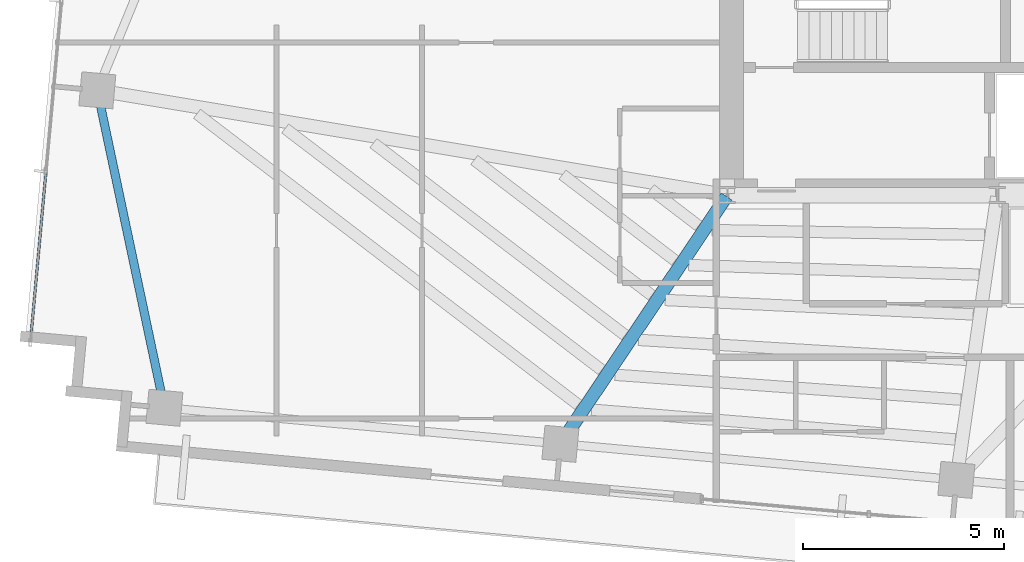
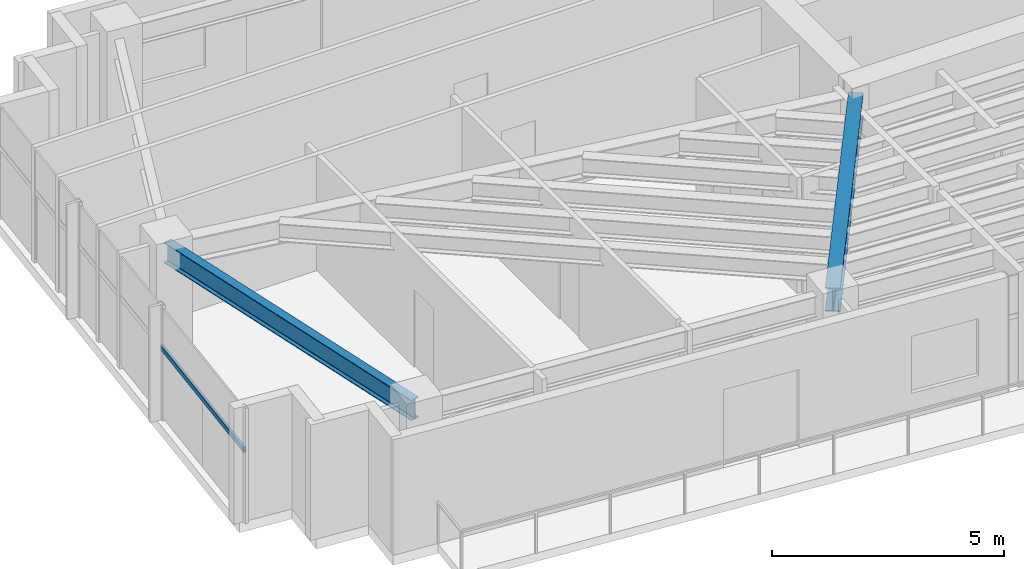
# One storey, part 3 of 22: 2 beams, 1 member, 1 element without a shape of its own.
"""IFC4 building model written with IfcOpenShell, lengths in metres."""

from ifc_helpers import new_model, si_unit, direction, frame, origin, origin_2d, place, context, subcontext, project, spatial, hollow_rectangle, i_section, extrude, source, transform, mapped, material, material_profile, profile_set, type_object, type_shapes, element, aggregate, save


model = new_model("IFC4")

# Units and contexts
model_context = context("Model", 3, precision=1e-05, world=origin(), true_north=direction((0.0, 1.0)))
body_context = subcontext(model_context, "Body", "Model", "MODEL_VIEW")
ifc_project = project(units=[si_unit("LENGTHUNIT", "METRE"), si_unit("AREAUNIT", "SQUARE_METRE"), si_unit("VOLUMEUNIT", "CUBIC_METRE"), si_unit("PLANEANGLEUNIT", "RADIAN"), si_unit("MASSUNIT", "GRAM", prefix="KILO")], contexts=[model_context])

# Site, building, storey
site_placement = place(None, origin())
site = spatial("IfcSite", under=ifc_project, at=site_placement, CompositionType="ELEMENT")
building_placement = place(site_placement, origin())
building = spatial("IfcBuilding", under=site, at=building_placement, Name="Astriad Promenade Condominiums", CompositionType="ELEMENT")
storey_placement = place(building_placement, frame((0.0, 0.0, 243.0)))
storey = spatial("IfcBuildingStorey", under=building, at=storey_placement, Name="L70", CompositionType="ELEMENT", Elevation=243.0)

# Beams
ifc_material_1 = material(Name="Steel ASTM A992 Grade 50", Category="steel")
ifc_material_profile_1 = material_profile(ifc_material_1, i_section(OverallWidth=0.210693359375, OverallDepth=0.53955078125, WebThickness=0.01171875, FlangeThickness=0.018798828125, FilletRadius=0.0166015625, at=origin_2d()), Name="W21X73")
ifc_profile_set_1 = profile_set([ifc_material_profile_1], Name="Steel ASTM A992 Grade 50")
beam_type_1 = type_object("IfcBeamType", Name="STEEL SPANDREL BEAM W21X73", PredefinedType="SPANDREL", material=ifc_profile_set_1)
shared_shape_1 = source(origin(), body_context, "Body", "SweptSolid", [
    extrude(i_section(OverallWidth=0.210693359375, OverallDepth=0.53955078125, WebThickness=0.01171875, FlangeThickness=0.018798828125, FilletRadius=0.0166015625, at=origin_2d()), origin(), (0.0, 0.0, 1.0), 7.99853515625),
])
type_shapes(beam_type_1, [shared_shape_1])
beam_1_placement = place(storey_placement, frame((10.719482421875, 19.97119140625, 2.770263671875), z_axis=(0.206793407277, -0.978384631271, 0.0), x_axis=(0.978384631271, 0.206793407277, 0.0)))
element("IfcBeam", 1, at=beam_1_placement, inside=storey, type_object=beam_type_1, Name="Perimeter Spandrel Beam SP-W1-L70", PredefinedType="SPANDREL", context=body_context, shape_type="MappedRepresentation", body=[
    mapped(shared_shape_1, transform((0.0, 0.0, 0.0), scale=1.0)),
])
ifc_material_profile_2 = material_profile(ifc_material_1, i_section(OverallWidth=0.326416015625, OverallDepth=0.621826171875, WebThickness=0.015380859375, FlangeThickness=0.0244140625, FilletRadius=0.017822265625, at=origin_2d()), Name="W24X131")
ifc_profile_set_2 = profile_set([ifc_material_profile_2], Name="Steel ASTM A992 Grade 50")
beam_type_2 = type_object("IfcBeamType", Name="STEEL FLOOR GIRDER W24X131", PredefinedType="BEAM", material=ifc_profile_set_2)
shared_shape_2 = source(origin(), body_context, "Body", "SweptSolid", [
    extrude(i_section(OverallWidth=0.326416015625, OverallDepth=0.621826171875, WebThickness=0.015380859375, FlangeThickness=0.0244140625, FilletRadius=0.017822265625, at=origin_2d()), origin(), (0.0, 0.0, 1.0), 7.378173828125),
])
type_shapes(beam_type_2, [shared_shape_2])
beam_2_placement = place(storey_placement, frame((22.263427734375, 11.2421875, 2.72900390625), z_axis=(0.55762901545, 0.830090284926, 0.0), x_axis=(-0.830090284926, 0.55762901545, 0.0)))
element("IfcBeam", 2, at=beam_2_placement, inside=storey, type_object=beam_type_2, Name="Primary Floor Girder PG-W2-L70", PredefinedType="BEAM", context=body_context, shape_type="MappedRepresentation", body=[
    mapped(shared_shape_2, transform((0.0, 0.0, 0.0), scale=1.0)),
])

# Curtain wall, member
ifc_material_2 = material(Name="Anodised aluminium Black Dark Glass Unitised", Category="aluminium")
curtain_wall_type = type_object("IfcCurtainWallType", Name="CW-B5-DARK", PredefinedType="USERDEFINED", material=ifc_material_2)
curtain_wall_placement = place(storey_placement, origin())
curtain_wall = element("IfcCurtainWall", 3, at=curtain_wall_placement, inside=storey, type_object=curtain_wall_type, Name="CW-L70-W", ObjectType="UNITISED_CURTAIN_WALL", PredefinedType="USERDEFINED")
ifc_material_3 = material(Name="Anodised aluminium 6063-T6 Black", Category="aluminium")
ifc_material_profile_3 = material_profile(ifc_material_3, hollow_rectangle(XDim=0.06494140625, YDim=0.1298828125, WallThickness=0.00390625, at=origin_2d()), Name="ALU-TRN-65X130")
ifc_profile_set_3 = profile_set([ifc_material_profile_3], Name="Anodised aluminium 6063-T6 Black")
member_type = type_object("IfcMemberType", Name="TRN-ALU-TRN-65X130", PredefinedType="USERDEFINED", material=ifc_profile_set_3)
shared_shape_3 = source(origin(), body_context, "Body", "SweptSolid", [
    extrude(hollow_rectangle(XDim=0.06494140625, YDim=0.1298828125, WallThickness=0.00390625, at=origin_2d()), origin(), (0.0, 0.0, 1.0), 4.2666015625),
])
type_shapes(member_type, [shared_shape_3])
member_placement = place(storey_placement, frame((9.0458984375, 13.7353515625, 1.884765625), z_axis=(0.090638931954, 0.99588382054, 0.0), x_axis=(-0.99588382054, 0.090638931954, 0.0)))
member = element("IfcMember", 4, at=member_placement, type_object=member_type, Name="CW-L70-W-TRN-00-0", ObjectType="TRANSOM", PredefinedType="USERDEFINED", context=body_context, shape_type="MappedRepresentation", body=[
    mapped(shared_shape_3, transform((0.0, 0.0, 0.0), scale=1.0)),
])
aggregate(curtain_wall, [member])

save(model, "model.ifc")
